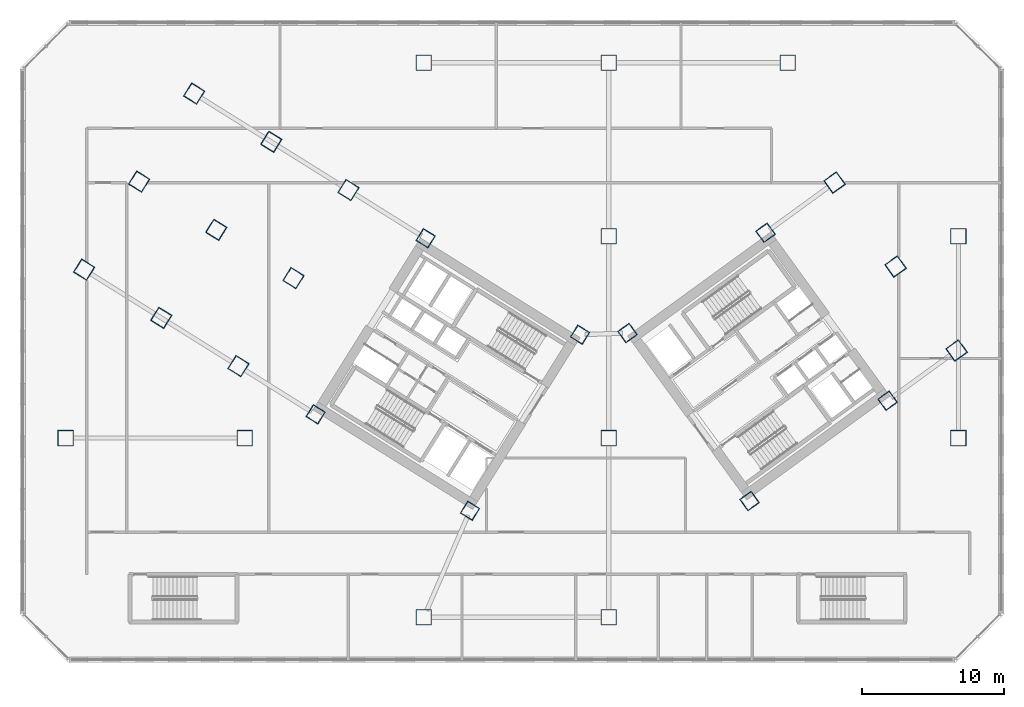
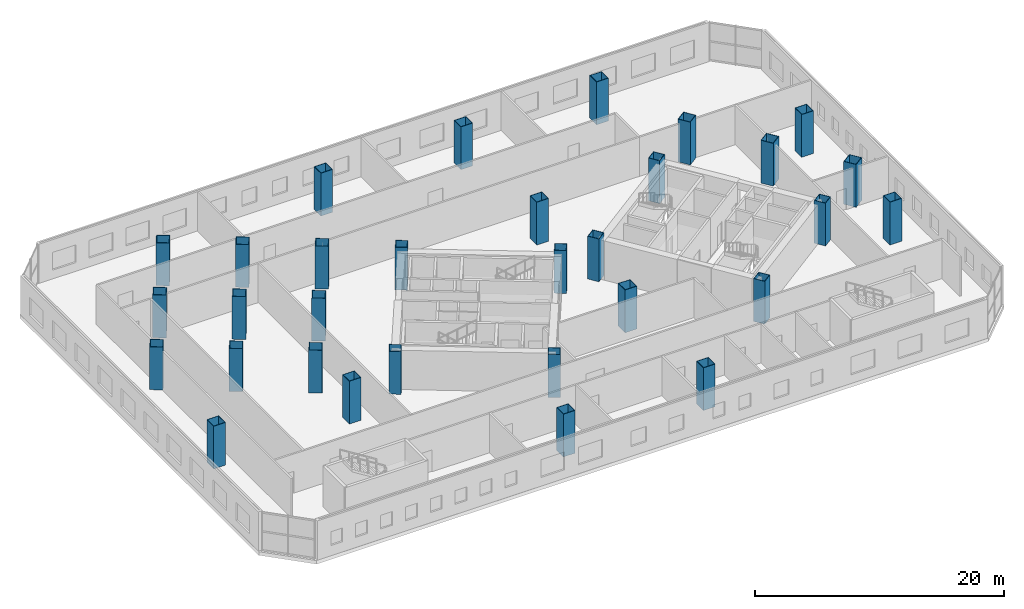
# One storey, part 1 of 22: 31 columns.
"""IFC4 building model written with IfcOpenShell, lengths in metres."""

from ifc_helpers import new_model, si_unit, direction, frame, origin, origin_2d, place, context, subcontext, project, spatial, hollow_rectangle, extrude, source, transform, mapped, material, material_profile, profile_set, type_object, element, save


model = new_model("IFC4")

# Units and contexts
model_context = context("Model", 3, precision=1e-05, world=origin(), true_north=direction((0.0, 1.0)))
body_context = subcontext(model_context, "Body", "Model", "MODEL_VIEW")
ifc_project = project(units=[si_unit("LENGTHUNIT", "METRE"), si_unit("AREAUNIT", "SQUARE_METRE"), si_unit("VOLUMEUNIT", "CUBIC_METRE"), si_unit("PLANEANGLEUNIT", "RADIAN"), si_unit("MASSUNIT", "GRAM", prefix="KILO")], contexts=[model_context])

# Site, building, storey
site_placement = place(None, origin())
site = spatial("IfcSite", under=ifc_project, at=site_placement, CompositionType="ELEMENT")
building_placement = place(site_placement, origin())
building = spatial("IfcBuilding", under=site, at=building_placement, Name="Tlacorven Tower", CompositionType="ELEMENT")
storey_placement = place(building_placement, frame((0.0, 0.0, 10.199951171875)))
storey = spatial("IfcBuildingStorey", under=building, at=storey_placement, Name="L02", CompositionType="ELEMENT", Elevation=10.199951171875)

# Columns
ifc_material = material(Name="Steel S460M", Category="steel")
ifc_material_profile_1 = material_profile(ifc_material, hollow_rectangle(XDim=1.10009765625, YDim=1.10009765625, WallThickness=0.0400390625, at=origin_2d()), Name="BOX 1100X1100X40")
ifc_profile_set_1 = profile_set([ifc_material_profile_1], Name="Steel S460M")
column_type_1 = type_object("IfcColumnType", Name="COL-POD-M2", PredefinedType="COLUMN", material=ifc_profile_set_1)
shared_shape_1 = source(origin(), body_context, "Body", "SweptSolid", [
    extrude(hollow_rectangle(XDim=1.10009765625, YDim=1.10009765625, WallThickness=0.0400390625, at=origin_2d()), origin(), (0.0, 0.0, 1.0), 4.199951171875),
])
for number, where, z_axis, x_axis, name in (
    (1, (4.60009765625, 17.199951171875, 0.0), (0.0, 0.0, 1.0), (1.0, 0.0, 0.0), "L02 column COL-L02-P01"),
    (2, (17.199951171875, 17.199951171875, 0.0), (0.0, 0.0, 1.0), (1.0, 0.0, 0.0), "L02 column COL-L02-P02"),
    (3, (29.800048828125, 4.60009765625, 0.0), (0.0, 0.0, 1.0), (1.0, 0.0, 0.0), "L02 column COL-L02-P03"),
    (4, (29.800048828125, 43.60009765625, 0.0), (0.0, 0.0, 1.0), (1.0, 0.0, 0.0), "L02 column COL-L02-P04"),
    (5, (42.800048828125, 4.60009765625, 0.0), (0.0, 0.0, 1.0), (1.0, 0.0, 0.0), "L02 column COL-L02-P05"),
    (6, (42.800048828125, 17.199951171875, 0.0), (0.0, 0.0, 1.0), (1.0, 0.0, 0.0), "L02 column COL-L02-P06"),
    (7, (42.800048828125, 31.39990234375, 0.0), (0.0, 0.0, 1.0), (1.0, 0.0, 0.0), "L02 column COL-L02-P07"),
    (8, (42.800048828125, 43.60009765625, 0.0), (0.0, 0.0, 1.0), (1.0, 0.0, 0.0), "L02 column COL-L02-P08"),
    (9, (55.39990234375, 43.60009765625, 0.0), (0.0, 0.0, 1.0), (1.0, 0.0, 0.0), "L02 column COL-L02-P09"),
    (10, (67.39990234375, 17.199951171875, 0.0), (0.0, 0.0, 1.0), (1.0, 0.0, 0.0), "L02 column COL-L02-P10"),
    (11, (67.39990234375, 31.39990234375, 0.0), (0.0, 0.0, 1.0), (1.0, 0.0, 0.0), "L02 column COL-L02-P11"),
    (12, (24.50048828125, 34.642822265625, 0.0), (0.0, 0.0, 1.0), (-0.848048096156, 0.529919264233, 0.0), "L02 column COL-L02-WT11"),
    (13, (20.632080078125, 28.4521484375, 0.0), (0.0, 0.0, 1.0), (-0.848048096156, 0.529919264233, 0.0), "L02 column COL-L02-WT12"),
    (14, (16.763671875, 22.26123046875, 0.0), (0.0, 0.0, 1.0), (-0.848048096156, 0.529919264233, 0.0), "L02 column COL-L02-WT13"),
    (15, (19.072998046875, 38.034423828125, 0.0), (0.0, 0.0, 1.0), (-0.848048096156, 0.529919264233, 0.0), "L02 column COL-L02-WT21"),
    (16, (15.20458984375, 31.843505859375, 0.0), (0.0, 0.0, 1.0), (-0.848048096156, 0.529919264233, 0.0), "L02 column COL-L02-WT22"),
    (17, (11.336181640625, 25.65283203125, 0.0), (0.0, 0.0, 1.0), (-0.848048096156, 0.529919264233, 0.0), "L02 column COL-L02-WT23"),
    (18, (13.6455078125, 41.42578125, 0.0), (0.0, 0.0, 1.0), (-0.848048096156, 0.529919264233, 0.0), "L02 column COL-L02-WT31"),
    (19, (9.777099609375, 35.235107421875, 0.0), (0.0, 0.0, 1.0), (-0.848048096156, 0.529919264233, 0.0), "L02 column COL-L02-WT32"),
    (20, (5.90869140625, 29.044189453125, 0.0), (0.0, 0.0, 1.0), (-0.848048096156, 0.529919264233, 0.0), "L02 column COL-L02-WT33"),
    (21, (67.267822265625, 23.353515625, 0.0), (0.0, 0.0, 1.0), (0.809016994375, 0.587785252292, 0.0), "L02 column COL-L02-ET11"),
    (22, (62.976806640625, 29.25927734375, 0.0), (0.0, 0.0, 1.0), (0.809016994375, 0.587785252292, 0.0), "L02 column COL-L02-ET12"),
    (23, (58.68603515625, 35.165283203125, 0.0), (0.0, 0.0, 1.0), (0.809016994375, 0.587785252292, 0.0), "L02 column COL-L02-ET13"),
):
    element("IfcColumn", number, at=place(storey_placement, frame(where, z_axis=z_axis, x_axis=x_axis)), inside=storey, type_object=column_type_1, Name=name, PredefinedType="COLUMN", context=body_context, shape_type="MappedRepresentation", body=[
        mapped(shared_shape_1, transform((0.0, 0.0, 0.0), scale=1.0)),
    ])
ifc_material_profile_2 = material_profile(ifc_material, hollow_rectangle(XDim=1.0, YDim=1.0, WallThickness=0.0400390625, at=origin_2d()), Name="BOX 1000X1000X40")
ifc_profile_set_2 = profile_set([ifc_material_profile_2], Name="Steel S460M")
column_type_2 = type_object("IfcColumnType", Name="COL-TWR-S1", PredefinedType="COLUMN", material=ifc_profile_set_2)
shared_shape_2 = source(origin(), body_context, "Body", "SweptSolid", [
    extrude(hollow_rectangle(XDim=1.0, YDim=1.0, WallThickness=0.0400390625, at=origin_2d()), origin(), (0.0, 0.0, 1.0), 4.199951171875),
])
for number, where, z_axis, x_axis, name in (
    (24, (40.782958984375, 24.468505859375, 0.0), (0.0, 0.0, 1.0), (-0.848048096156, 0.529919264233, 0.0), "L02 column COL-L02-CW11"),
    (25, (33.046142578125, 12.0869140625, 0.0), (0.0, 0.0, 1.0), (-0.848048096156, 0.529919264233, 0.0), "L02 column COL-L02-CW12"),
    (26, (29.927978515625, 31.25146484375, 0.0), (0.0, 0.0, 1.0), (-0.848048096156, 0.529919264233, 0.0), "L02 column COL-L02-CW21"),
    (27, (22.191162109375, 18.869873046875, 0.0), (0.0, 0.0, 1.0), (-0.848048096156, 0.529919264233, 0.0), "L02 column COL-L02-CW22"),
    (28, (52.705322265625, 12.7734375, 0.0), (0.0, 0.0, 1.0), (0.809016994375, 0.587785252292, 0.0), "L02 column COL-L02-CE11"),
    (29, (44.123779296875, 24.5849609375, 0.0), (0.0, 0.0, 1.0), (0.809016994375, 0.587785252292, 0.0), "L02 column COL-L02-CE12"),
    (30, (62.41357421875, 19.826904296875, 0.0), (0.0, 0.0, 1.0), (0.809016994375, 0.587785252292, 0.0), "L02 column COL-L02-CE21"),
    (31, (53.83203125, 31.638427734375, 0.0), (0.0, 0.0, 1.0), (0.809016994375, 0.587785252292, 0.0), "L02 column COL-L02-CE22"),
):
    element("IfcColumn", number, at=place(storey_placement, frame(where, z_axis=z_axis, x_axis=x_axis)), inside=storey, type_object=column_type_2, Name=name, PredefinedType="COLUMN", context=body_context, shape_type="MappedRepresentation", body=[
        mapped(shared_shape_2, transform((0.0, 0.0, 0.0), scale=1.0)),
    ])

save(model, "model.ifc")
